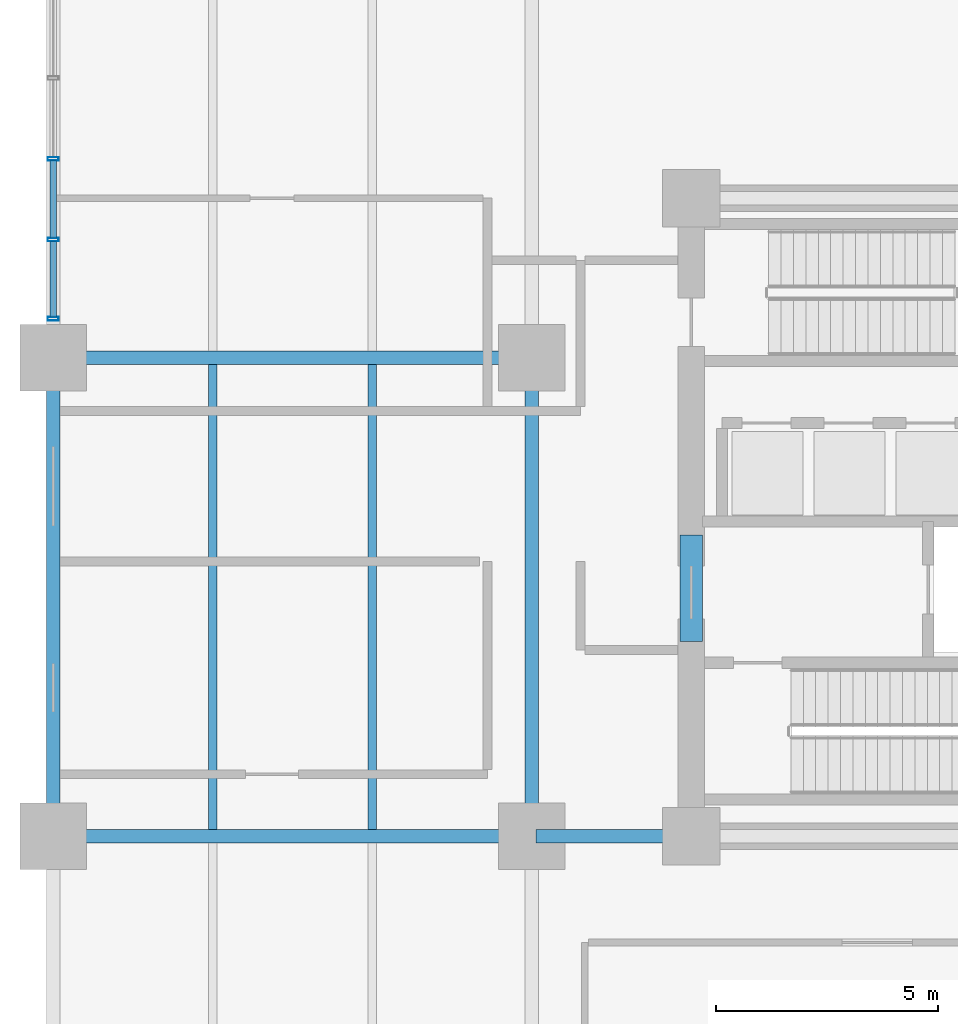
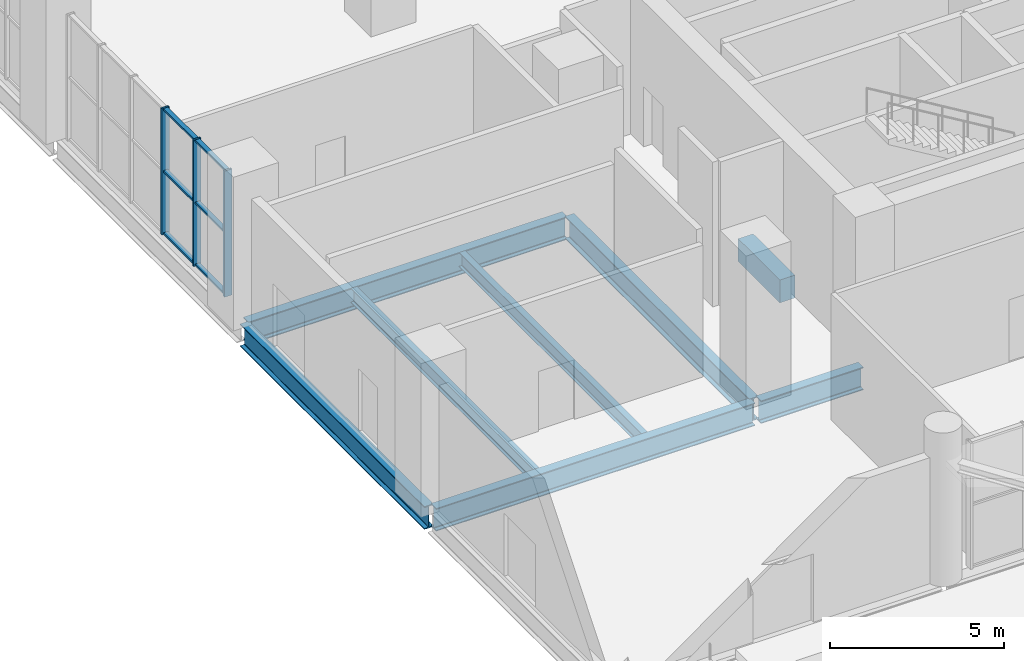
# One storey, part 5 of 22: 9 members, 8 beams, 1 element without a shape of its own.
"""IFC4 building model written with IfcOpenShell, lengths in metres."""

from ifc_helpers import new_model, si_unit, direction, frame, origin, origin_2d, place, context, subcontext, project, spatial, rectangle, hollow_rectangle, i_section, extrude, material, layer, layer_set, material_profile, profile_set, type_object, element, aggregate, save


model = new_model("IFC4")

# Units and contexts
model_context = context("Model", 3, precision=1e-05, world=origin(), true_north=direction((0.0, 1.0)))
body_context = subcontext(model_context, "Body", "Model", "MODEL_VIEW")
ifc_project = project(units=[si_unit("LENGTHUNIT", "METRE"), si_unit("AREAUNIT", "SQUARE_METRE"), si_unit("VOLUMEUNIT", "CUBIC_METRE"), si_unit("PLANEANGLEUNIT", "RADIAN"), si_unit("MASSUNIT", "GRAM", prefix="KILO")], contexts=[model_context])

# Site, building, storey
site_placement = place(None, origin())
site = spatial("IfcSite", under=ifc_project, at=site_placement, CompositionType="ELEMENT")
building_placement = place(site_placement, origin())
building = spatial("IfcBuilding", under=site, at=building_placement, Name="Solnavia Interchange Tower", CompositionType="ELEMENT")
storey_placement = place(building_placement, origin())
storey = spatial("IfcBuildingStorey", under=building, at=storey_placement, Name="L00", CompositionType="ELEMENT", Elevation=0.0)

# Beams
ifc_material_1 = material(Name="Concrete C50/60", Category="concrete")
ifc_material_profile_1 = material_profile(ifc_material_1, rectangle(XDim=0.5, YDim=0.800048828125, at=origin_2d()), Name="RC 500x800")
ifc_profile_set_1 = profile_set([ifc_material_profile_1], Name="Concrete C50/60")
beam_type_1 = type_object("IfcBeamType", Name="Beam-Coupling-RC500x800", PredefinedType="LINTEL", material=ifc_profile_set_1)
beam_1_placement = place(storey_placement, frame((14.39990234375, 15.199951171875, -0.39990234375), z_axis=(0.0, 1.0, 0.0), x_axis=(-1.0, 0.0, 0.0)))
element("IfcBeam", 1, at=beam_1_placement, inside=storey, type_object=beam_type_1, Name="CPB-L00-W1 Core coupling lintel beam", PredefinedType="LINTEL", context=body_context, shape_type="SweptSolid", body=[
    extrude(rectangle(XDim=0.5, YDim=0.800048828125, at=origin_2d()), origin(), (0.0, 0.0, 1.0), 2.400146484375),
])
ifc_material_2 = material(Name="Steel S460", Category="steel")
ifc_material_profile_2 = material_profile(ifc_material_2, i_section(OverallWidth=0.300048828125, OverallDepth=0.800048828125, WebThickness=0.017578125, FlangeThickness=0.032958984375, FilletRadius=0.030029296875, at=origin_2d()), Name="HEB 800")
ifc_profile_set_2 = profile_set([ifc_material_profile_2], Name="Steel S460")
beam_type_2 = type_object("IfcBeamType", Name="Beam-Girder-HEB800", PredefinedType="BEAM", material=ifc_profile_set_2)
beam_2_placement = place(storey_placement, frame((0.10009765625, 10.800048828125, -0.75), z_axis=(1.0, 0.0, 0.0), x_axis=(0.0, 1.0, 0.0)))
element("IfcBeam", 2, at=beam_2_placement, inside=storey, type_object=beam_type_2, Name="GRD-L00-08 Podium primary girder", PredefinedType="BEAM", context=body_context, shape_type="SweptSolid", body=[
    extrude(i_section(OverallWidth=0.300048828125, OverallDepth=0.800048828125, WebThickness=0.017578125, FlangeThickness=0.032958984375, FilletRadius=0.030029296875, at=origin_2d()), origin(), (0.0, 0.0, 1.0), 10.599853515625),
])
beam_3_placement = place(storey_placement, frame((10.89990234375, 10.800048828125, -0.75), z_axis=(1.0, 0.0, 0.0), x_axis=(0.0, 1.0, 0.0)))
element("IfcBeam", 3, at=beam_3_placement, inside=storey, type_object=beam_type_2, Name="GRD-L00-09 Podium primary girder", PredefinedType="BEAM", context=body_context, shape_type="SweptSolid", body=[
    extrude(i_section(OverallWidth=0.300048828125, OverallDepth=0.800048828125, WebThickness=0.017578125, FlangeThickness=0.032958984375, FilletRadius=0.030029296875, at=origin_2d()), origin(), (0.0, 0.0, 1.0), 3.400146484375),
])
beam_4_placement = place(storey_placement, frame((0.10009765625, 21.60009765625, -0.75), z_axis=(1.0, 0.0, 0.0), x_axis=(0.0, 1.0, 0.0)))
element("IfcBeam", 4, at=beam_4_placement, inside=storey, type_object=beam_type_2, Name="GRD-L00-17 Podium primary girder", PredefinedType="BEAM", context=body_context, shape_type="SweptSolid", body=[
    extrude(i_section(OverallWidth=0.300048828125, OverallDepth=0.800048828125, WebThickness=0.017578125, FlangeThickness=0.032958984375, FilletRadius=0.030029296875, at=origin_2d()), origin(), (0.0, 0.0, 1.0), 10.599853515625),
])
for number, where, z_axis, x_axis, name in (
    (5, (0.0, 10.89990234375, -0.75), (0.0, 1.0, 0.0), (-1.0, 0.0, 0.0), "GRD-L00-44 Podium primary girder"),
    (6, (10.800048828125, 10.89990234375, -0.75), (0.0, 1.0, 0.0), (-1.0, 0.0, 0.0), "GRD-L00-49 Podium primary girder"),
):
    element("IfcBeam", number, at=place(storey_placement, frame(where, z_axis=z_axis, x_axis=x_axis)), inside=storey, type_object=beam_type_2, Name=name, PredefinedType="BEAM", context=body_context, shape_type="SweptSolid", body=[
        extrude(i_section(OverallWidth=0.300048828125, OverallDepth=0.800048828125, WebThickness=0.017578125, FlangeThickness=0.032958984375, FilletRadius=0.030029296875, at=origin_2d()), origin(), (0.0, 0.0, 1.0), 10.60009765625),
    ])
ifc_material_3 = material(Name="Steel S355", Category="steel")
ifc_material_profile_3 = material_profile(ifc_material_3, i_section(OverallWidth=0.199951171875, OverallDepth=0.5, WebThickness=0.01025390625, FlangeThickness=0.01611328125, FilletRadius=0.02099609375, at=origin_2d()), Name="IPE 500")
ifc_profile_set_3 = profile_set([ifc_material_profile_3], Name="Steel S355")
beam_type_3 = type_object("IfcBeamType", Name="Beam-Joist-IPE500", PredefinedType="JOIST", material=ifc_profile_set_3)
for number, where, z_axis, x_axis, name in (
    (7, (3.60009765625, 10.949951171875, -0.60009765625), (0.0, 1.0, 0.0), (-1.0, 0.0, 0.0), "JST-L00-02 Podium composite floor joist"),
    (8, (7.199951171875, 10.949951171875, -0.60009765625), (0.0, 1.0, 0.0), (-1.0, 0.0, 0.0), "JST-L00-07 Podium composite floor joist"),
):
    element("IfcBeam", number, at=place(storey_placement, frame(where, z_axis=z_axis, x_axis=x_axis)), inside=storey, type_object=beam_type_3, Name=name, PredefinedType="JOIST", context=body_context, shape_type="SweptSolid", body=[
        extrude(i_section(OverallWidth=0.199951171875, OverallDepth=0.5, WebThickness=0.01025390625, FlangeThickness=0.01611328125, FilletRadius=0.02099609375, at=origin_2d()), origin(), (0.0, 0.0, 1.0), 10.5),
    ])

# Curtain wall, members
ifc_material_4 = material(Name="Aluminium Alloy 6063-T6", Category="aluminium")
ifc_layer = layer(ifc_material_4, 0.27001953125)
ifc_layer_set = layer_set([ifc_layer], Name="Aluminium Alloy 6063-T6")
curtain_wall_type = type_object("IfcCurtainWallType", Name="CurtainWall-Podium-CTW1", PredefinedType="NOTDEFINED", material=ifc_layer_set)
curtain_wall_placement = place(storey_placement, origin())
curtain_wall = element("IfcCurtainWall", 9, at=curtain_wall_placement, inside=storey, type_object=curtain_wall_type, Name="CTW-L00-W21 CTW-1 curtain wall", PredefinedType="NOTDEFINED")
ifc_material_profile_4 = material_profile(ifc_material_4, hollow_rectangle(XDim=0.080078125, YDim=0.25, WallThickness=0.006103515625, at=origin_2d()), Name="ALU 250x80x6")
ifc_profile_set_4 = profile_set([ifc_material_profile_4], Name="Aluminium Alloy 6063-T6")
member_type_1 = type_object("IfcMemberType", Name="CW-Mullion-CWM-1", PredefinedType="MULLION", material=ifc_profile_set_4)
member_1_placement = place(storey_placement, frame((0.0, 22.47998046875, 0.0), z_axis=(0.0, 0.0, 1.0), x_axis=(0.0, 1.0, 0.0)))
member_1 = element("IfcMember", 10, at=member_1_placement, type_object=member_type_1, Name="CTW-1 mullion 1", PredefinedType="MULLION", context=body_context, shape_type="SweptSolid", body=[
    extrude(hollow_rectangle(XDim=0.080078125, YDim=0.25, WallThickness=0.006103515625, at=origin_2d()), origin(), (0.0, 0.0, 1.0), 4.429931640625),
])
member_2_placement = place(storey_placement, frame((0.0, 24.263916015625, 0.0), z_axis=(0.0, 0.0, 1.0), x_axis=(0.0, 1.0, 0.0)))
member_2 = element("IfcMember", 11, at=member_2_placement, type_object=member_type_1, Name="CTW-1 mullion 2", PredefinedType="MULLION", context=body_context, shape_type="SweptSolid", body=[
    extrude(hollow_rectangle(XDim=0.080078125, YDim=0.25, WallThickness=0.006103515625, at=origin_2d()), origin(), (0.0, 0.0, 1.0), 4.429931640625),
])
member_3_placement = place(storey_placement, frame((0.0, 26.087890625, 0.0), z_axis=(0.0, 0.0, 1.0), x_axis=(0.0, 1.0, 0.0)))
member_3 = element("IfcMember", 12, at=member_3_placement, type_object=member_type_1, Name="CTW-1 mullion 3", PredefinedType="MULLION", context=body_context, shape_type="SweptSolid", body=[
    extrude(hollow_rectangle(XDim=0.080078125, YDim=0.25, WallThickness=0.006103515625, at=origin_2d()), origin(), (0.0, 0.0, 1.0), 4.429931640625),
])
ifc_material_profile_5 = material_profile(ifc_material_4, hollow_rectangle(XDim=0.070068359375, YDim=0.14990234375, WallThickness=0.00439453125, at=origin_2d()), Name="ALU 150x70x4.5")
ifc_profile_set_5 = profile_set([ifc_material_profile_5], Name="Aluminium Alloy 6063-T6")
member_type_2 = type_object("IfcMemberType", Name="CW-Transom-CWT-1", PredefinedType="USERDEFINED", material=ifc_profile_set_5)
member_4_placement = place(storey_placement, frame((0.0, 22.52001953125, 0.034912109375), z_axis=(0.0, 1.0, 0.0), x_axis=(0.0, 0.0, 1.0)))
member_4 = element("IfcMember", 13, at=member_4_placement, type_object=member_type_2, Name="CTW-1 transom 1.1", ObjectType="TRANSOM", PredefinedType="USERDEFINED", context=body_context, shape_type="SweptSolid", body=[
    extrude(hollow_rectangle(XDim=0.070068359375, YDim=0.14990234375, WallThickness=0.00439453125, at=origin_2d()), origin(), (0.0, 0.0, 1.0), 1.7041015625),
])
member_5_placement = place(storey_placement, frame((0.0, 22.52001953125, 2.215087890625), z_axis=(0.0, 1.0, 0.0), x_axis=(0.0, 0.0, 1.0)))
member_5 = element("IfcMember", 14, at=member_5_placement, type_object=member_type_2, Name="CTW-1 transom 1.2", ObjectType="TRANSOM", PredefinedType="USERDEFINED", context=body_context, shape_type="SweptSolid", body=[
    extrude(hollow_rectangle(XDim=0.070068359375, YDim=0.14990234375, WallThickness=0.00439453125, at=origin_2d()), origin(), (0.0, 0.0, 1.0), 1.7041015625),
])
member_6_placement = place(storey_placement, frame((0.0, 22.52001953125, 4.39501953125), z_axis=(0.0, 1.0, 0.0), x_axis=(0.0, 0.0, 1.0)))
member_6 = element("IfcMember", 15, at=member_6_placement, type_object=member_type_2, Name="CTW-1 transom 1.3", ObjectType="TRANSOM", PredefinedType="USERDEFINED", context=body_context, shape_type="SweptSolid", body=[
    extrude(hollow_rectangle(XDim=0.070068359375, YDim=0.14990234375, WallThickness=0.00439453125, at=origin_2d()), origin(), (0.0, 0.0, 1.0), 1.7041015625),
])
member_7_placement = place(storey_placement, frame((0.0, 24.303955078125, 0.034912109375), z_axis=(0.0, 1.0, 0.0), x_axis=(0.0, 0.0, 1.0)))
member_7 = element("IfcMember", 16, at=member_7_placement, type_object=member_type_2, Name="CTW-1 transom 2.1", ObjectType="TRANSOM", PredefinedType="USERDEFINED", context=body_context, shape_type="SweptSolid", body=[
    extrude(hollow_rectangle(XDim=0.070068359375, YDim=0.14990234375, WallThickness=0.00439453125, at=origin_2d()), origin(), (0.0, 0.0, 1.0), 1.744140625),
])
member_8_placement = place(storey_placement, frame((0.0, 24.303955078125, 2.215087890625), z_axis=(0.0, 1.0, 0.0), x_axis=(0.0, 0.0, 1.0)))
member_8 = element("IfcMember", 17, at=member_8_placement, type_object=member_type_2, Name="CTW-1 transom 2.2", ObjectType="TRANSOM", PredefinedType="USERDEFINED", context=body_context, shape_type="SweptSolid", body=[
    extrude(hollow_rectangle(XDim=0.070068359375, YDim=0.14990234375, WallThickness=0.00439453125, at=origin_2d()), origin(), (0.0, 0.0, 1.0), 1.744140625),
])
member_9_placement = place(storey_placement, frame((0.0, 24.303955078125, 4.39501953125), z_axis=(0.0, 1.0, 0.0), x_axis=(0.0, 0.0, 1.0)))
member_9 = element("IfcMember", 18, at=member_9_placement, type_object=member_type_2, Name="CTW-1 transom 2.3", ObjectType="TRANSOM", PredefinedType="USERDEFINED", context=body_context, shape_type="SweptSolid", body=[
    extrude(hollow_rectangle(XDim=0.070068359375, YDim=0.14990234375, WallThickness=0.00439453125, at=origin_2d()), origin(), (0.0, 0.0, 1.0), 1.744140625),
])
aggregate(curtain_wall, [member_1, member_2, member_3, member_4, member_5, member_6, member_7, member_8, member_9])

save(model, "model.ifc")
